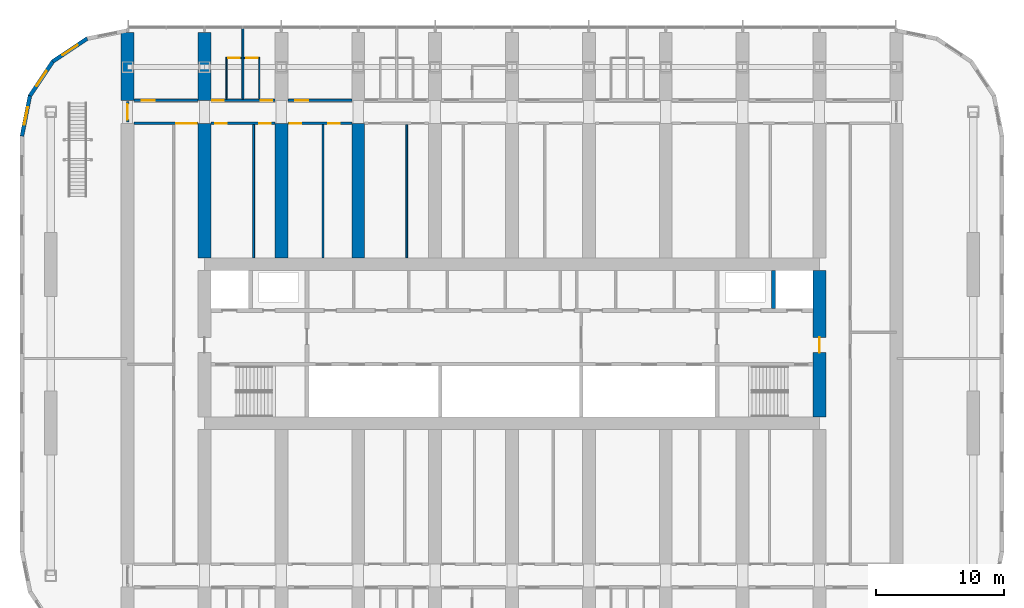
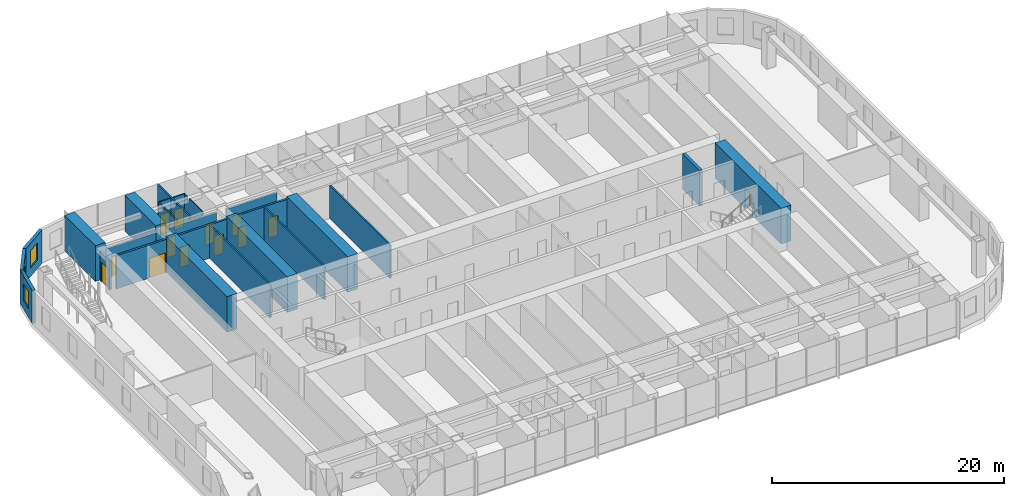
# One storey, part 16 of 26: 25 walls, 13 doors, 3 windows, 16 openings.
"""IFC4 building model written with IfcOpenShell, lengths in metres."""

from ifc_helpers import new_model, si_unit, direction, frame, frame_2d, origin, place, context, subcontext, project, spatial, polyline, rectangle, outline, extrude, material, layer, layer_set, type_object, element, fill, save


model = new_model("IFC4")

# Units and contexts
model_context = context("Model", 3, precision=1e-05, world=origin(), true_north=direction((0.0, 1.0)))
body_context = subcontext(model_context, "Body", "Model", "MODEL_VIEW")
ifc_project = project(units=[si_unit("LENGTHUNIT", "METRE"), si_unit("AREAUNIT", "SQUARE_METRE"), si_unit("VOLUMEUNIT", "CUBIC_METRE"), si_unit("PLANEANGLEUNIT", "RADIAN"), si_unit("MASSUNIT", "GRAM", prefix="KILO")], contexts=[model_context])

# Site, building, storey
site_placement = place(None, origin())
site = spatial("IfcSite", under=ifc_project, at=site_placement, CompositionType="ELEMENT")
building_placement = place(site_placement, origin())
building = spatial("IfcBuilding", under=site, at=building_placement, Name="Orbita Commons", CompositionType="ELEMENT")
storey_placement = place(building_placement, frame((0.0, 0.0, 53.949951171875)))
storey = spatial("IfcBuildingStorey", under=building, at=storey_placement, Name="L13", CompositionType="ELEMENT", Elevation=53.949951171875)

# Wall
ifc_material_1 = material(Name="Concrete C50/60", Category="concrete")
ifc_layer_1 = layer(ifc_material_1, 0.300048828125)
ifc_layer_set_1 = layer_set([ifc_layer_1], Name="Concrete C50/60")
wall_type_1 = type_object("IfcWallType", Name="Core inner wall 300 C50/60", PredefinedType="SHEAR", material=ifc_layer_set_1)
wall_1_placement = place(storey_placement, frame((62.39990234375, 34.75, 0.0), z_axis=(0.0, 0.0, 1.0), x_axis=(0.0, 1.0, 0.0)))
element("IfcWall", 1, at=wall_1_placement, inside=storey, type_object=wall_type_1, Name="Firefighting lift FL2 shaft wall L13", PredefinedType="SHEAR", context=body_context, shape_type="SweptSolid", body=[
    extrude(rectangle(XDim=2.949951171875, YDim=0.300048828125, at=frame_2d((1.47509765625, 0.0))), origin(), (0.0, 0.0, 1.0), 3.75),
])

# Wall, opening, door
ifc_material_2 = material(Name="Concrete C50/60", Category="concrete")
ifc_layer_2 = layer(ifc_material_2, 1.0)
ifc_layer_set_2 = layer_set([ifc_layer_2], Name="Concrete C50/60")
wall_type_2 = type_object("IfcWallType", Name="Core wall 1000 C50/60", PredefinedType="SHEAR", material=ifc_layer_set_2)
wall_2_placement = place(storey_placement, frame((66.0, 26.300048828125, 0.0), z_axis=(0.0, 0.0, 1.0), x_axis=(0.0, 1.0, 0.0)))
wall_2 = element("IfcWall", 2, at=wall_2_placement, inside=storey, type_object=wall_type_2, Name="Core end wall east L13", PredefinedType="SHEAR", context=body_context, shape_type="SweptSolid", body=[
    extrude(rectangle(XDim=11.39990234375, YDim=1.0, at=frame_2d((5.699951171875, 0.0))), origin(), (0.0, 0.0, 1.0), 3.75),
])
opening_1_placement = place(wall_2_placement, frame((5.0, 0.0, 0.0)))
opening_1 = element("IfcOpeningElement", 3, at=opening_1_placement, cuts=wall_2, Name="Opening D01", PredefinedType="OPENING", context=body_context, shape_type="SweptSolid", body=[
    extrude(rectangle(XDim=1.199951171875, YDim=2.10009765625, at=frame_2d((0.60009765625, 1.050048828125))), frame((0.0, 0.510009765625, 0.0), z_axis=(0.0, -1.0, 0.0), x_axis=(1.0, 0.0, 0.0)), (0.0, 0.0, 1.0), 1.02001953125),
])
ifc_material_3 = material(Name="Steel-faced fire door leaf", Category="steel")
door_type_1 = type_object("IfcDoorType", Name="Fire door 90 min 1200x2100", OperationType="SINGLE_SWING_LEFT", PredefinedType="DOOR", material=ifc_material_3)
door_1_placement = place(opening_1_placement, origin())
door_1 = element("IfcDoor", 4, at=door_1_placement, inside=storey, type_object=door_type_1, Name="Firefighting lobby east door", OperationType="SINGLE_SWING_LEFT", OverallHeight=2.10009765625, OverallWidth=1.199951171875, PredefinedType="DOOR", context=body_context, shape_type="SweptSolid", body=[
    extrude(rectangle(XDim=1.199951171875, YDim=2.10009765625, at=frame_2d((0.60009765625, 1.050048828125))), frame((0.0, 0.02490234375, 0.0), z_axis=(0.0, -1.0, 0.0), x_axis=(1.0, 0.0, 0.0)), (0.0, 0.0, 1.0), 0.050048828125),
])
fill(opening_1, door_1)

ifc_material_4 = material(Name="Concrete blockwork", Category="masonry")
ifc_layer_3 = layer(ifc_material_4, 0.199951171875)
ifc_layer_set_3 = layer_set([ifc_layer_3], Name="Concrete blockwork")
wall_type_3 = type_object("IfcWallType", Name="Corridor wall 200 blockwork", PredefinedType="SOLIDWALL", material=ifc_layer_set_3)
wall_3_placement = place(storey_placement, frame((12.5, 51.0, 0.0), z_axis=(0.0, 0.0, 1.0), x_axis=(1.0, 0.0, 0.0)))
wall_3 = element("IfcWall", 5, at=wall_3_placement, inside=storey, type_object=wall_type_3, Name="Corridor wall 200 blockwork L13", PredefinedType="SOLIDWALL", context=body_context, shape_type="SweptSolid", body=[
    extrude(outline(polyline([(0.0, 0.0), (5.0, 0.0), (5.0, 3.10009765625), (0.0, 3.10009765625), (0.0, 0.0)])), frame((0.0, 0.10009765625, 0.0), z_axis=(0.0, -1.0, 0.0), x_axis=(1.0, 0.0, 0.0)), (0.0, 0.0, 1.0), 0.199951171875),
])
opening_2_placement = place(wall_3_placement, frame((0.60009765625, 0.0, 0.0)))
opening_2 = element("IfcOpeningElement", 6, at=opening_2_placement, cuts=wall_3, Name="Opening D06", PredefinedType="OPENING", context=body_context, shape_type="SweptSolid", body=[
    extrude(rectangle(XDim=1.0, YDim=2.10009765625, at=frame_2d((0.5, 1.050048828125))), frame((0.0, 0.10986328125, 0.0), z_axis=(0.0, -1.0, 0.0), x_axis=(1.0, 0.0, 0.0)), (0.0, 0.0, 1.0), 0.219970703125),
])
ifc_material_5 = material(Name="Steel-faced fire door leaf", Category="steel")
door_type_2 = type_object("IfcDoorType", Name="Corridor door 20 min 1000x2100", OperationType="SINGLE_SWING_LEFT", PredefinedType="DOOR", material=ifc_material_5)
door_2_placement = place(opening_2_placement, origin())
door_2 = element("IfcDoor", 7, at=door_2_placement, inside=storey, type_object=door_type_2, Name="House study room L13-N00 door", OperationType="SINGLE_SWING_LEFT", OverallHeight=2.10009765625, OverallWidth=1.0, PredefinedType="DOOR", context=body_context, shape_type="SweptSolid", body=[
    extrude(rectangle(XDim=1.0, YDim=2.10009765625, at=frame_2d((0.5, 1.050048828125))), frame((0.0, 0.02490234375, 0.0), z_axis=(0.0, -1.0, 0.0), x_axis=(1.0, 0.0, 0.0)), (0.0, 0.0, 1.0), 0.050048828125),
])
fill(opening_2, door_2)

# Wall, openings, doors
wall_4_placement = place(storey_placement, frame((18.5, 51.0, 0.0), z_axis=(0.0, 0.0, 1.0), x_axis=(1.0, 0.0, 0.0)))
wall_4 = element("IfcWall", 8, at=wall_4_placement, inside=storey, type_object=wall_type_3, Name="Corridor wall 200 blockwork L13", PredefinedType="SOLIDWALL", context=body_context, shape_type="SweptSolid", body=[
    extrude(outline(polyline([(0.0, 0.0), (5.0, 0.0), (5.0, 3.10009765625), (0.0, 3.10009765625), (0.0, 0.0)])), frame((0.0, 0.10009765625, 0.0), z_axis=(0.0, -1.0, 0.0), x_axis=(1.0, 0.0, 0.0)), (0.0, 0.0, 1.0), 0.199951171875),
])
opening_3_placement = place(wall_4_placement, frame((0.10009765625, 0.0, 0.0)))
opening_3 = element("IfcOpeningElement", 9, at=opening_3_placement, cuts=wall_4, Name="Opening D11", PredefinedType="OPENING", context=body_context, shape_type="SweptSolid", body=[
    extrude(rectangle(XDim=0.89990234375, YDim=2.10009765625, at=frame_2d((0.449951171875, 1.050048828125))), frame((0.0, 0.10986328125, 0.0), z_axis=(0.0, -1.0, 0.0), x_axis=(1.0, 0.0, 0.0)), (0.0, 0.0, 1.0), 0.219970703125),
])
opening_4_placement = place(wall_4_placement, frame((3.875, 0.0, 0.0)))
opening_4 = element("IfcOpeningElement", 10, at=opening_4_placement, cuts=wall_4, Name="Opening D11", PredefinedType="OPENING", context=body_context, shape_type="SweptSolid", body=[
    extrude(rectangle(XDim=0.89990234375, YDim=2.10009765625, at=frame_2d((0.449951171875, 1.050048828125))), frame((0.0, 0.10986328125, 0.0), z_axis=(0.0, -1.0, 0.0), x_axis=(1.0, 0.0, 0.0)), (0.0, 0.0, 1.0), 0.219970703125),
])
ifc_material_6 = material(Name="Steel-faced fire door leaf", Category="steel")
door_type_3 = type_object("IfcDoorType", Name="Corridor door 20 min 900x2100", OperationType="SINGLE_SWING_LEFT", PredefinedType="DOOR", material=ifc_material_6)
door_3_placement = place(opening_3_placement, origin())
door_3 = element("IfcDoor", 11, at=door_3_placement, inside=storey, type_object=door_type_3, Name="House bedroom L13-N02 door", OperationType="SINGLE_SWING_LEFT", OverallHeight=2.10009765625, OverallWidth=0.89990234375, PredefinedType="DOOR", context=body_context, shape_type="SweptSolid", body=[
    extrude(rectangle(XDim=0.89990234375, YDim=2.10009765625, at=frame_2d((0.449951171875, 1.050048828125))), frame((0.0, 0.02490234375, 0.0), z_axis=(0.0, -1.0, 0.0), x_axis=(1.0, 0.0, 0.0)), (0.0, 0.0, 1.0), 0.050048828125),
])
fill(opening_3, door_3)
door_4_placement = place(opening_4_placement, origin())
door_4 = element("IfcDoor", 12, at=door_4_placement, inside=storey, type_object=door_type_3, Name="House bedroom L13-N03 door", OperationType="SINGLE_SWING_LEFT", OverallHeight=2.10009765625, OverallWidth=0.89990234375, PredefinedType="DOOR", context=body_context, shape_type="SweptSolid", body=[
    extrude(rectangle(XDim=0.89990234375, YDim=2.10009765625, at=frame_2d((0.449951171875, 1.050048828125))), frame((0.0, 0.02490234375, 0.0), z_axis=(0.0, -1.0, 0.0), x_axis=(1.0, 0.0, 0.0)), (0.0, 0.0, 1.0), 0.050048828125),
])
fill(opening_4, door_4)

# Wall, opening, door
wall_5_placement = place(storey_placement, frame((24.5, 51.0, 0.0), z_axis=(0.0, 0.0, 1.0), x_axis=(1.0, 0.0, 0.0)))
wall_5 = element("IfcWall", 13, at=wall_5_placement, inside=storey, type_object=wall_type_3, Name="Corridor wall 200 blockwork L13", PredefinedType="SOLIDWALL", context=body_context, shape_type="SweptSolid", body=[
    extrude(outline(polyline([(0.0, 0.0), (5.0, 0.0), (5.0, 3.10009765625), (0.0, 3.10009765625), (0.0, 0.0)])), frame((0.0, 0.10009765625, 0.0), z_axis=(0.0, -1.0, 0.0), x_axis=(1.0, 0.0, 0.0)), (0.0, 0.0, 1.0), 0.199951171875),
])
opening_5_placement = place(wall_5_placement, frame((0.60009765625, 0.0, 0.0)))
opening_5 = element("IfcOpeningElement", 14, at=opening_5_placement, cuts=wall_5, Name="Opening D06", PredefinedType="OPENING", context=body_context, shape_type="SweptSolid", body=[
    extrude(rectangle(XDim=1.0, YDim=2.10009765625, at=frame_2d((0.5, 1.050048828125))), frame((0.0, 0.10986328125, 0.0), z_axis=(0.0, -1.0, 0.0), x_axis=(1.0, 0.0, 0.0)), (0.0, 0.0, 1.0), 0.219970703125),
])
door_5_placement = place(opening_5_placement, origin())
door_5 = element("IfcDoor", 15, at=door_5_placement, inside=storey, type_object=door_type_2, Name="House study room L13-N04 door", OperationType="SINGLE_SWING_LEFT", OverallHeight=2.10009765625, OverallWidth=1.0, PredefinedType="DOOR", context=body_context, shape_type="SweptSolid", body=[
    extrude(rectangle(XDim=1.0, YDim=2.10009765625, at=frame_2d((0.5, 1.050048828125))), frame((0.0, 0.02490234375, 0.0), z_axis=(0.0, -1.0, 0.0), x_axis=(1.0, 0.0, 0.0)), (0.0, 0.0, 1.0), 0.050048828125),
])
fill(opening_5, door_5)

wall_6_placement = place(storey_placement, frame((12.0, 49.300048828125, 0.0), z_axis=(0.0, 0.0, 1.0), x_axis=(0.0, 1.0, 0.0)))
wall_6 = element("IfcWall", 16, at=wall_6_placement, inside=storey, type_object=wall_type_3, Name="Corridor wall 200 blockwork L13", PredefinedType="SOLIDWALL", context=body_context, shape_type="SweptSolid", body=[
    extrude(outline(polyline([(0.0, 0.0), (1.599853515625, 0.0), (1.60009765625, 3.050048828125), (0.0, 3.050048828125), (0.0, 0.0)])), frame((0.0, 0.10009765625, 0.0), z_axis=(0.0, -1.0, 0.0), x_axis=(1.0, 0.0, 0.0)), (0.0, 0.0, 1.0), 0.199951171875),
])
opening_6_placement = place(wall_6_placement, frame((0.199951171875, 0.0, 0.0)))
opening_6 = element("IfcOpeningElement", 17, at=opening_6_placement, cuts=wall_6, Name="Opening D12", PredefinedType="OPENING", context=body_context, shape_type="SweptSolid", body=[
    extrude(rectangle(XDim=1.199951171875, YDim=2.10009765625, at=frame_2d((0.60009765625, 1.050048828125))), frame((0.0, 0.10986328125, 0.0), z_axis=(0.0, -1.0, 0.0), x_axis=(1.0, 0.0, 0.0)), (0.0, 0.0, 1.0), 0.219970703125),
])
ifc_material_7 = material(Name="Steel-faced fire door leaf", Category="steel")
door_type_4 = type_object("IfcDoorType", Name="Double corridor door 20 min 1200x2100", OperationType="DOUBLE_DOOR_SINGLE_SWING", PredefinedType="DOOR", material=ifc_material_7)
door_6_placement = place(opening_6_placement, origin())
door_6 = element("IfcDoor", 18, at=door_6_placement, inside=storey, type_object=door_type_4, Name="Lounge doors", OperationType="DOUBLE_DOOR_SINGLE_SWING", OverallHeight=2.10009765625, OverallWidth=1.199951171875, PredefinedType="DOOR", context=body_context, shape_type="SweptSolid", body=[
    extrude(rectangle(XDim=1.199951171875, YDim=2.10009765625, at=frame_2d((0.60009765625, 1.050048828125))), frame((0.0, 0.02490234375, 0.0), z_axis=(0.0, -1.0, 0.0), x_axis=(1.0, 0.0, 0.0)), (0.0, 0.0, 1.0), 0.050048828125),
])
fill(opening_6, door_6)

ifc_material_8 = material(Name="Hollow concrete block 200", Category="concrete")
ifc_layer_4 = layer(ifc_material_8, 0.199951171875)
ifc_layer_set_4 = layer_set([ifc_layer_4], Name="Hollow concrete block 200")
wall_type_4 = type_object("IfcWallType", Name="Corridor wall 200 hollow concrete block", PredefinedType="SOLIDWALL", material=ifc_layer_set_4)
wall_7_placement = place(storey_placement, frame((12.5, 49.199951171875, 0.0), z_axis=(0.0, 0.0, 1.0), x_axis=(1.0, 0.0, 0.0)))
wall_7 = element("IfcWall", 19, at=wall_7_placement, inside=storey, type_object=wall_type_4, Name="Corridor wall 200 hollow concrete block L13", PredefinedType="SOLIDWALL", context=body_context, shape_type="SweptSolid", body=[
    extrude(rectangle(XDim=5.0, YDim=0.199951171875, at=frame_2d((2.5, 0.0))), origin(), (0.0, 0.0, 1.0), 3.5),
])
opening_7_placement = place(wall_7_placement, frame((3.300048828125, 0.0, 0.0)))
opening_7 = element("IfcOpeningElement", 20, at=opening_7_placement, cuts=wall_7, Name="Opening D10", PredefinedType="OPENING", context=body_context, shape_type="SweptSolid", body=[
    extrude(rectangle(XDim=1.60009765625, YDim=2.10009765625, at=frame_2d((0.800048828125, 1.050048828125))), frame((0.0, 0.10986328125, 0.0), z_axis=(0.0, -1.0, 0.0), x_axis=(1.0, 0.0, 0.0)), (0.0, 0.0, 1.0), 0.219970703125),
])
ifc_material_9 = material(Name="Steel-faced fire door leaf", Category="steel")
door_type_5 = type_object("IfcDoorType", Name="Double corridor door 20 min 1600x2100", OperationType="DOUBLE_DOOR_SINGLE_SWING", PredefinedType="DOOR", material=ifc_material_9)
door_7_placement = place(opening_7_placement, origin())
door_7 = element("IfcDoor", 21, at=door_7_placement, inside=storey, type_object=door_type_5, Name="Cross corridor doors", OperationType="DOUBLE_DOOR_SINGLE_SWING", OverallHeight=2.10009765625, OverallWidth=1.60009765625, PredefinedType="DOOR", context=body_context, shape_type="SweptSolid", body=[
    extrude(rectangle(XDim=1.60009765625, YDim=2.10009765625, at=frame_2d((0.800048828125, 1.050048828125))), frame((0.0, 0.02490234375, 0.0), z_axis=(0.0, -1.0, 0.0), x_axis=(1.0, 0.0, 0.0)), (0.0, 0.0, 1.0), 0.050048828125),
])
fill(opening_7, door_7)

# Wall, openings, doors
wall_8_placement = place(storey_placement, frame((18.5, 49.199951171875, 0.0), z_axis=(0.0, 0.0, 1.0), x_axis=(1.0, 0.0, 0.0)))
wall_8 = element("IfcWall", 22, at=wall_8_placement, inside=storey, type_object=wall_type_4, Name="Corridor wall 200 hollow concrete block L13", PredefinedType="SOLIDWALL", context=body_context, shape_type="SweptSolid", body=[
    extrude(rectangle(XDim=5.0, YDim=0.199951171875, at=frame_2d((2.5, 0.0))), origin(), (0.0, 0.0, 1.0), 3.5),
])
opening_8_placement = place(wall_8_placement, frame((0.35009765625, 0.0, 0.0)))
opening_8 = element("IfcOpeningElement", 23, at=opening_8_placement, cuts=wall_8, Name="Opening D11", PredefinedType="OPENING", context=body_context, shape_type="SweptSolid", body=[
    extrude(rectangle(XDim=0.89990234375, YDim=2.10009765625, at=frame_2d((0.449951171875, 1.050048828125))), frame((0.0, 0.10986328125, 0.0), z_axis=(0.0, -1.0, 0.0), x_axis=(1.0, 0.0, 0.0)), (0.0, 0.0, 1.0), 0.219970703125),
])
opening_9_placement = place(wall_8_placement, frame((3.760009765625, 0.0, 0.0)))
opening_9 = element("IfcOpeningElement", 24, at=opening_9_placement, cuts=wall_8, Name="Opening D11", PredefinedType="OPENING", context=body_context, shape_type="SweptSolid", body=[
    extrude(rectangle(XDim=0.89990234375, YDim=2.10009765625, at=frame_2d((0.449951171875, 1.050048828125))), frame((0.0, 0.10986328125, 0.0), z_axis=(0.0, -1.0, 0.0), x_axis=(1.0, 0.0, 0.0)), (0.0, 0.0, 1.0), 0.219970703125),
])
door_8_placement = place(opening_8_placement, origin())
door_8 = element("IfcDoor", 25, at=door_8_placement, inside=storey, type_object=door_type_3, Name="Cleaners store L13-BDN18 door", OperationType="SINGLE_SWING_LEFT", OverallHeight=2.10009765625, OverallWidth=0.89990234375, PredefinedType="DOOR", context=body_context, shape_type="SweptSolid", body=[
    extrude(rectangle(XDim=0.89990234375, YDim=2.10009765625, at=frame_2d((0.449951171875, 1.050048828125))), frame((0.0, 0.02490234375, 0.0), z_axis=(0.0, -1.0, 0.0), x_axis=(1.0, 0.0, 0.0)), (0.0, 0.0, 1.0), 0.050048828125),
])
fill(opening_8, door_8)
door_9_placement = place(opening_9_placement, origin())
door_9 = element("IfcDoor", 26, at=door_9_placement, inside=storey, type_object=door_type_3, Name="Water heater cupboard L13-BDN18n door", OperationType="SINGLE_SWING_LEFT", OverallHeight=2.10009765625, OverallWidth=0.89990234375, PredefinedType="DOOR", context=body_context, shape_type="SweptSolid", body=[
    extrude(rectangle(XDim=0.89990234375, YDim=2.10009765625, at=frame_2d((0.449951171875, 1.050048828125))), frame((0.0, 0.02490234375, 0.0), z_axis=(0.0, -1.0, 0.0), x_axis=(1.0, 0.0, 0.0)), (0.0, 0.0, 1.0), 0.050048828125),
])
fill(opening_9, door_9)

wall_9_placement = place(storey_placement, frame((24.5, 49.199951171875, 0.0), z_axis=(0.0, 0.0, 1.0), x_axis=(1.0, 0.0, 0.0)))
wall_9 = element("IfcWall", 27, at=wall_9_placement, inside=storey, type_object=wall_type_4, Name="Corridor wall 200 hollow concrete block L13", PredefinedType="SOLIDWALL", context=body_context, shape_type="SweptSolid", body=[
    extrude(rectangle(XDim=5.0, YDim=0.199951171875, at=frame_2d((2.5, 0.0))), origin(), (0.0, 0.0, 1.0), 3.5),
])
opening_10_placement = place(wall_9_placement, frame((0.14990234375, 0.0, 0.0)))
opening_10 = element("IfcOpeningElement", 28, at=opening_10_placement, cuts=wall_9, Name="Opening D11", PredefinedType="OPENING", context=body_context, shape_type="SweptSolid", body=[
    extrude(rectangle(XDim=0.89990234375, YDim=2.10009765625, at=frame_2d((0.449951171875, 1.050048828125))), frame((0.0, 0.10986328125, 0.0), z_axis=(0.0, -1.0, 0.0), x_axis=(1.0, 0.0, 0.0)), (0.0, 0.0, 1.0), 0.219970703125),
])
opening_11_placement = place(wall_9_placement, frame((3.175048828125, 0.0, 0.0)))
opening_11 = element("IfcOpeningElement", 29, at=opening_11_placement, cuts=wall_9, Name="Opening D11", PredefinedType="OPENING", context=body_context, shape_type="SweptSolid", body=[
    extrude(rectangle(XDim=0.89990234375, YDim=2.10009765625, at=frame_2d((0.449951171875, 1.050048828125))), frame((0.0, 0.10986328125, 0.0), z_axis=(0.0, -1.0, 0.0), x_axis=(1.0, 0.0, 0.0)), (0.0, 0.0, 1.0), 0.219970703125),
])
door_10_placement = place(opening_10_placement, origin())
door_10 = element("IfcDoor", 30, at=door_10_placement, inside=storey, type_object=door_type_3, Name="Electrical and data room L13-BDN24 door", OperationType="SINGLE_SWING_LEFT", OverallHeight=2.10009765625, OverallWidth=0.89990234375, PredefinedType="DOOR", context=body_context, shape_type="SweptSolid", body=[
    extrude(rectangle(XDim=0.89990234375, YDim=2.10009765625, at=frame_2d((0.449951171875, 1.050048828125))), frame((0.0, 0.02490234375, 0.0), z_axis=(0.0, -1.0, 0.0), x_axis=(1.0, 0.0, 0.0)), (0.0, 0.0, 1.0), 0.050048828125),
])
fill(opening_10, door_10)
door_11_placement = place(opening_11_placement, origin())
door_11 = element("IfcDoor", 31, at=door_11_placement, inside=storey, type_object=door_type_3, Name="Equipment store L13-BDN24n door", OperationType="SINGLE_SWING_LEFT", OverallHeight=2.10009765625, OverallWidth=0.89990234375, PredefinedType="DOOR", context=body_context, shape_type="SweptSolid", body=[
    extrude(rectangle(XDim=0.89990234375, YDim=2.10009765625, at=frame_2d((0.449951171875, 1.050048828125))), frame((0.0, 0.02490234375, 0.0), z_axis=(0.0, -1.0, 0.0), x_axis=(1.0, 0.0, 0.0)), (0.0, 0.0, 1.0), 0.050048828125),
])
fill(opening_11, door_11)

# Walls
ifc_material_10 = material(Name="Concrete C50/60", Category="concrete")
ifc_layer_5 = layer(ifc_material_10, 1.0)
ifc_layer_set_5 = layer_set([ifc_layer_5], Name="Concrete C50/60")
wall_type_5 = type_object("IfcWallType", Name="Cross wall 1000 C50/60", PredefinedType="SHEAR", material=ifc_layer_set_5)
for number, where, z_axis, x_axis, name in (
    (32, (12.0, 51.0, 0.0), (0.0, 0.0, 1.0), (0.0, 1.0, 0.0), "Cross wall 3 north outer L13"),
    (33, (18.0, 51.0, 0.0), (0.0, 0.0, 1.0), (0.0, 1.0, 0.0), "Cross wall 4 north outer L13"),
):
    element("IfcWall", number, at=place(storey_placement, frame(where, z_axis=z_axis, x_axis=x_axis)), inside=storey, type_object=wall_type_5, Name=name, PredefinedType="SHEAR", context=body_context, shape_type="SweptSolid", body=[
        extrude(rectangle(XDim=5.300048828125, YDim=1.0, at=frame_2d((2.64990234375, 0.0))), origin(), (0.0, 0.0, 1.0), 3.75),
    ])
for number, where, z_axis, x_axis, name in (
    (34, (18.0, 38.699951171875, 0.0), (0.0, 0.0, 1.0), (0.0, 1.0, 0.0), "Cross wall 4 north inner L13"),
    (35, (24.0, 38.699951171875, 0.0), (0.0, 0.0, 1.0), (0.0, 1.0, 0.0), "Cross wall 5 north inner L13"),
    (36, (30.0, 38.699951171875, 0.0), (0.0, 0.0, 1.0), (0.0, 1.0, 0.0), "Cross wall 6 north inner L13"),
):
    element("IfcWall", number, at=place(storey_placement, frame(where, z_axis=z_axis, x_axis=x_axis)), inside=storey, type_object=wall_type_5, Name=name, PredefinedType="SHEAR", context=body_context, shape_type="SweptSolid", body=[
        extrude(rectangle(XDim=10.5, YDim=1.0, at=frame_2d((5.25, 0.0))), origin(), (0.0, 0.0, 1.0), 3.75),
    ])

# Wall, opening, door
ifc_material_11 = material(Name="Moisture-resistant plasterboard on steel studs", Category="steel")
ifc_layer_6 = layer(ifc_material_11, 0.10009765625)
ifc_layer_set_6 = layer_set([ifc_layer_6], Name="Moisture-resistant plasterboard on steel studs")
wall_type_6 = type_object("IfcWallType", Name="En-suite partition 100", PredefinedType="PARTITIONING", material=ifc_layer_set_6)
wall_10_placement = place(storey_placement, frame((19.675048828125, 54.300048828125, 0.0), z_axis=(0.0, 0.0, 1.0), x_axis=(1.0, 0.0, 0.0)))
wall_10 = element("IfcWall", 37, at=wall_10_placement, inside=storey, type_object=wall_type_6, Name="En-suite partition 100 L13", PredefinedType="PARTITIONING", context=body_context, shape_type="SweptSolid", body=[
    extrude(rectangle(XDim=1.25, YDim=0.10009765625, at=frame_2d((0.625, 0.0))), origin(), (0.0, 0.0, 1.0), 3.5),
])
opening_12_placement = place(wall_10_placement, frame((0.175048828125, 0.0, 0.0)))
opening_12 = element("IfcOpeningElement", 38, at=opening_12_placement, cuts=wall_10, Name="Opening D09", PredefinedType="OPENING", context=body_context, shape_type="SweptSolid", body=[
    extrude(rectangle(XDim=0.89990234375, YDim=2.10009765625, at=frame_2d((0.449951171875, 1.050048828125))), frame((0.0, 0.06005859375, 0.0), z_axis=(0.0, -1.0, 0.0), x_axis=(1.0, 0.0, 0.0)), (0.0, 0.0, 1.0), 0.1201171875),
])
ifc_material_12 = material(Name="Laminated timber door leaf", Category="wood")
door_type_6 = type_object("IfcDoorType", Name="En-suite door 900x2100", OperationType="SINGLE_SWING_RIGHT", PredefinedType="DOOR", material=ifc_material_12)
door_12_placement = place(opening_12_placement, origin())
door_12 = element("IfcDoor", 39, at=door_12_placement, inside=storey, type_object=door_type_6, Name="En-suite L13-N02 door", OperationType="SINGLE_SWING_RIGHT", OverallHeight=2.10009765625, OverallWidth=0.89990234375, PredefinedType="DOOR", context=body_context, shape_type="SweptSolid", body=[
    extrude(rectangle(XDim=0.89990234375, YDim=2.10009765625, at=frame_2d((0.449951171875, 1.050048828125))), frame((0.0, 0.02490234375, 0.0), z_axis=(0.0, -1.0, 0.0), x_axis=(1.0, 0.0, 0.0)), (0.0, 0.0, 1.0), 0.050048828125),
])
fill(opening_12, door_12)

# Wall
wall_11_placement = place(storey_placement, frame((19.72509765625, 54.25, 0.0), z_axis=(0.0, 0.0, 1.0), x_axis=(0.0, -1.0, 0.0)))
element("IfcWall", 40, at=wall_11_placement, inside=storey, type_object=wall_type_6, Name="En-suite partition 100 L13", PredefinedType="PARTITIONING", context=body_context, shape_type="SweptSolid", body=[
    extrude(outline(polyline([(0.0, 0.0), (3.14990234375, 0.0), (3.14990234375, 3.10009765625), (3.10205078125, 3.10009765625), (3.10009765625, 3.5), (0.85205078125, 3.5), (0.85009765625, 3.10009765625), (0.451904296875, 3.10009765625), (0.449951171875, 3.5), (0.0, 3.5), (0.0, 0.0)])), frame((0.0, 0.050048828125, 0.0), z_axis=(0.0, -1.0, 0.0), x_axis=(1.0, 0.0, 0.0)), (0.0, 0.0, 1.0), 0.10009765625),
])

# Wall, opening, door
wall_12_placement = place(storey_placement, frame((21.074951171875, 54.300048828125, 0.0), z_axis=(0.0, 0.0, 1.0), x_axis=(1.0, 0.0, 0.0)))
wall_12 = element("IfcWall", 41, at=wall_12_placement, inside=storey, type_object=wall_type_6, Name="En-suite partition 100 L13", PredefinedType="PARTITIONING", context=body_context, shape_type="SweptSolid", body=[
    extrude(rectangle(XDim=1.25, YDim=0.10009765625, at=frame_2d((0.625, 0.0))), origin(), (0.0, 0.0, 1.0), 3.5),
])
opening_13_placement = place(wall_12_placement, frame((0.175048828125, 0.0, 0.0)))
opening_13 = element("IfcOpeningElement", 42, at=opening_13_placement, cuts=wall_12, Name="Opening D09", PredefinedType="OPENING", context=body_context, shape_type="SweptSolid", body=[
    extrude(rectangle(XDim=0.89990234375, YDim=2.10009765625, at=frame_2d((0.449951171875, 1.050048828125))), frame((0.0, 0.06005859375, 0.0), z_axis=(0.0, -1.0, 0.0), x_axis=(1.0, 0.0, 0.0)), (0.0, 0.0, 1.0), 0.1201171875),
])
door_13_placement = place(opening_13_placement, origin())
door_13 = element("IfcDoor", 43, at=door_13_placement, inside=storey, type_object=door_type_6, Name="En-suite L13-N03 door", OperationType="SINGLE_SWING_RIGHT", OverallHeight=2.10009765625, OverallWidth=0.89990234375, PredefinedType="DOOR", context=body_context, shape_type="SweptSolid", body=[
    extrude(rectangle(XDim=0.89990234375, YDim=2.10009765625, at=frame_2d((0.449951171875, 1.050048828125))), frame((0.0, 0.02490234375, 0.0), z_axis=(0.0, -1.0, 0.0), x_axis=(1.0, 0.0, 0.0)), (0.0, 0.0, 1.0), 0.050048828125),
])
fill(opening_13, door_13)

# Walls
wall_13_placement = place(storey_placement, frame((22.27490234375, 54.25, 0.0), z_axis=(0.0, 0.0, 1.0), x_axis=(0.0, -1.0, 0.0)))
element("IfcWall", 44, at=wall_13_placement, inside=storey, type_object=wall_type_6, Name="En-suite partition 100 L13", PredefinedType="PARTITIONING", context=body_context, shape_type="SweptSolid", body=[
    extrude(outline(polyline([(0.0, 0.0), (3.14990234375, 0.0), (3.14990234375, 3.10009765625), (3.10205078125, 3.10009765625), (3.10009765625, 3.5), (0.85205078125, 3.5), (0.85009765625, 3.10009765625), (0.451904296875, 3.10009765625), (0.449951171875, 3.5), (0.0, 3.5), (0.0, 0.0)])), frame((0.0, 0.050048828125, 0.0), z_axis=(0.0, -1.0, 0.0), x_axis=(1.0, 0.0, 0.0)), (0.0, 0.0, 1.0), 0.10009765625),
])
ifc_material_13 = material(Name="Gypsum plasterboard on steel studs", Category="steel")
ifc_layer_7 = layer(ifc_material_13, 0.14990234375)
ifc_layer_set_7 = layer_set([ifc_layer_7], Name="Gypsum plasterboard on steel studs")
wall_type_7 = type_object("IfcWallType", Name="Partition 150 plasterboard", PredefinedType="PARTITIONING", material=ifc_layer_set_7)
for number, where, z_axis, x_axis, name in (
    (45, (21.8349609375, 38.699951171875, 0.0), (0.0, 0.0, 1.0), (0.0, 1.0, 0.0), "Partition 150 plasterboard L13"),
    (46, (27.25, 38.699951171875, 0.0), (0.0, 0.0, 1.0), (0.0, 1.0, 0.0), "Partition 150 plasterboard L13"),
    (47, (33.784912109375, 38.699951171875, 0.0), (0.0, 0.0, 1.0), (0.0, 1.0, 0.0), "Partition 150 plasterboard L13"),
):
    element("IfcWall", number, at=place(storey_placement, frame(where, z_axis=z_axis, x_axis=x_axis)), inside=storey, type_object=wall_type_7, Name=name, PredefinedType="PARTITIONING", context=body_context, shape_type="SweptSolid", body=[
        extrude(rectangle(XDim=10.400146484375, YDim=0.14990234375, at=frame_2d((5.2001953125, 0.0))), origin(), (0.0, 0.0, 1.0), 3.5),
    ])
ifc_material_14 = material(Name="Gypsum plasterboard on steel studs", Category="steel")
ifc_layer_8 = layer(ifc_material_14, 0.14990234375)
ifc_layer_set_8 = layer_set([ifc_layer_8], Name="Gypsum plasterboard on steel studs")
wall_type_8 = type_object("IfcWallType", Name="Party wall 150 plasterboard", PredefinedType="PARTITIONING", material=ifc_layer_set_8)
wall_14_placement = place(storey_placement, frame((21.0, 56.590087890625, 0.0), z_axis=(0.0, 0.0, 1.0), x_axis=(0.0, -1.0, 0.0)))
element("IfcWall", 48, at=wall_14_placement, inside=storey, type_object=wall_type_8, Name="Party wall 150 plasterboard L13", PredefinedType="PARTITIONING", context=body_context, shape_type="SweptSolid", body=[
    extrude(outline(polyline([(0.0, 0.0), (5.489990234375, 0.0), (5.489990234375, 3.10009765625), (5.44189453125, 3.10009765625), (5.43994140625, 3.5), (3.19189453125, 3.5), (3.18994140625, 3.10009765625), (2.7919921875, 3.10009765625), (2.7900390625, 3.5), (0.0, 3.5), (0.0, 0.0)])), frame((0.0, 0.074951171875, 0.0), z_axis=(0.0, -1.0, 0.0), x_axis=(1.0, 0.0, 0.0)), (0.0, 0.0, 1.0), 0.14990234375),
])

# Wall, opening, window
ifc_material_15 = material(Name="Precast concrete C40/50, white board-marked finish", Category="concrete")
ifc_layer_9 = layer(ifc_material_15, 0.300048828125)
ifc_layer_set_9 = layer_set([ifc_layer_9], Name="Precast concrete C40/50, white board-marked finish")
wall_type_9 = type_object("IfcWallType", Name="Precast concrete end shield 300", PredefinedType="SOLIDWALL", material=ifc_layer_set_9)
wall_15_placement = place(storey_placement, frame((8.843017578125, 55.822021484375, 0.0), z_axis=(0.0, 0.0, 1.0), x_axis=(-0.831478105043, -0.555557522525, 0.0)))
wall_15 = element("IfcWall", 49, at=wall_15_placement, inside=storey, type_object=wall_type_9, Name="End shield NW chord 2 L13", PredefinedType="SOLIDWALL", context=body_context, shape_type="SweptSolid", body=[
    extrude(outline(polyline([(-0.02978515625, -0.14990234375), (3.248779296875, -0.14990234375), (3.189208984375, 0.14990234375), (0.02978515625, 0.14990234375), (-0.02978515625, -0.14990234375)])), origin(), (0.0, 0.0, 1.0), 3.5),
])
opening_14_placement = place(wall_15_placement, frame((0.909423828125, 0.0, 0.89990234375)))
opening_14 = element("IfcOpeningElement", 50, at=opening_14_placement, cuts=wall_15, Name="Opening W02", PredefinedType="OPENING", context=body_context, shape_type="SweptSolid", body=[
    extrude(rectangle(XDim=1.39990234375, YDim=1.800048828125, at=frame_2d((0.699951171875, 0.89990234375))), frame((0.0, 0.159912109375, 0.0), z_axis=(0.0, -1.0, 0.0), x_axis=(1.0, 0.0, 0.0)), (0.0, 0.0, 1.0), 0.320068359375),
])
ifc_material_16 = material(Name="Aluminium frame, clear double glazing", Category="aluminium")
window_type = type_object("IfcWindowType", Name="Deep-set window 1400x1800", PartitioningType="SINGLE_PANEL", PredefinedType="WINDOW", material=ifc_material_16)
window_1_placement = place(opening_14_placement, origin())
window_1 = element("IfcWindow", 51, at=window_1_placement, inside=storey, type_object=window_type, Name="Window L13-NW1", OverallHeight=1.800048828125, OverallWidth=1.39990234375, PartitioningType="SINGLE_PANEL", PredefinedType="WINDOW", context=body_context, shape_type="SweptSolid", body=[
    extrude(rectangle(XDim=1.39990234375, YDim=1.800048828125, at=frame_2d((0.699951171875, 0.89990234375))), frame((0.0, 0.030029296875, 0.0), z_axis=(0.0, -1.0, 0.0), x_axis=(1.0, 0.0, 0.0)), (0.0, 0.0, 1.0), 0.06005859375),
])
fill(opening_14, window_1)

wall_16_placement = place(storey_placement, frame((6.16650390625, 54.03369140625, 0.0), z_axis=(0.0, 0.0, 1.0), x_axis=(-0.555609954424, -0.831443069936, 0.0)))
wall_16 = element("IfcWall", 52, at=wall_16_placement, inside=storey, type_object=wall_type_9, Name="End shield NW chord 3 L13", PredefinedType="SOLIDWALL", context=body_context, shape_type="SweptSolid", body=[
    extrude(outline(polyline([(-0.02978515625, -0.14990234375), (3.2490234375, -0.14990234375), (3.189453125, 0.14990234375), (0.02978515625, 0.14990234375), (-0.02978515625, -0.14990234375)])), origin(), (0.0, 0.0, 1.0), 3.5),
])
opening_15_placement = place(wall_16_placement, frame((0.909423828125, 0.0, 0.89990234375)))
opening_15 = element("IfcOpeningElement", 53, at=opening_15_placement, cuts=wall_16, Name="Opening W02", PredefinedType="OPENING", context=body_context, shape_type="SweptSolid", body=[
    extrude(rectangle(XDim=1.39990234375, YDim=1.800048828125, at=frame_2d((0.699951171875, 0.89990234375))), frame((0.0, 0.159912109375, 0.0), z_axis=(0.0, -1.0, 0.0), x_axis=(1.0, 0.0, 0.0)), (0.0, 0.0, 1.0), 0.320068359375),
])
window_2_placement = place(opening_15_placement, origin())
window_2 = element("IfcWindow", 54, at=window_2_placement, inside=storey, type_object=window_type, Name="Window L13-NW2", OverallHeight=1.800048828125, OverallWidth=1.39990234375, PartitioningType="SINGLE_PANEL", PredefinedType="WINDOW", context=body_context, shape_type="SweptSolid", body=[
    extrude(rectangle(XDim=1.39990234375, YDim=1.800048828125, at=frame_2d((0.699951171875, 0.89990234375))), frame((0.0, 0.030029296875, 0.0), z_axis=(0.0, -1.0, 0.0), x_axis=(1.0, 0.0, 0.0)), (0.0, 0.0, 1.0), 0.06005859375),
])
fill(opening_15, window_2)

wall_17_placement = place(storey_placement, frame((4.3779296875, 51.357177734375, 0.0), z_axis=(0.0, 0.0, 1.0), x_axis=(-0.195065901187, -0.980790137692, 0.0)))
wall_17 = element("IfcWall", 55, at=wall_17_placement, inside=storey, type_object=wall_type_9, Name="End shield NW chord 4 L13", PredefinedType="SOLIDWALL", context=body_context, shape_type="SweptSolid", body=[
    extrude(outline(polyline([(-0.02978515625, -0.14990234375), (3.23388671875, -0.14990234375), (3.2041015625, 0.14990234375), (0.02978515625, 0.14990234375), (-0.02978515625, -0.14990234375)])), origin(), (0.0, 0.0, 1.0), 3.5),
])
opening_16_placement = place(wall_17_placement, frame((0.909423828125, 0.0, 0.89990234375)))
opening_16 = element("IfcOpeningElement", 56, at=opening_16_placement, cuts=wall_17, Name="Opening W02", PredefinedType="OPENING", context=body_context, shape_type="SweptSolid", body=[
    extrude(rectangle(XDim=1.39990234375, YDim=1.800048828125, at=frame_2d((0.699951171875, 0.89990234375))), frame((0.0, 0.159912109375, 0.0), z_axis=(0.0, -1.0, 0.0), x_axis=(1.0, 0.0, 0.0)), (0.0, 0.0, 1.0), 0.320068359375),
])
window_3_placement = place(opening_16_placement, origin())
window_3 = element("IfcWindow", 57, at=window_3_placement, inside=storey, type_object=window_type, Name="Window L13-NW3", OverallHeight=1.800048828125, OverallWidth=1.39990234375, PartitioningType="SINGLE_PANEL", PredefinedType="WINDOW", context=body_context, shape_type="SweptSolid", body=[
    extrude(rectangle(XDim=1.39990234375, YDim=1.800048828125, at=frame_2d((0.699951171875, 0.89990234375))), frame((0.0, 0.030029296875, 0.0), z_axis=(0.0, -1.0, 0.0), x_axis=(1.0, 0.0, 0.0)), (0.0, 0.0, 1.0), 0.06005859375),
])
fill(opening_16, window_3)

save(model, "model.ifc")
